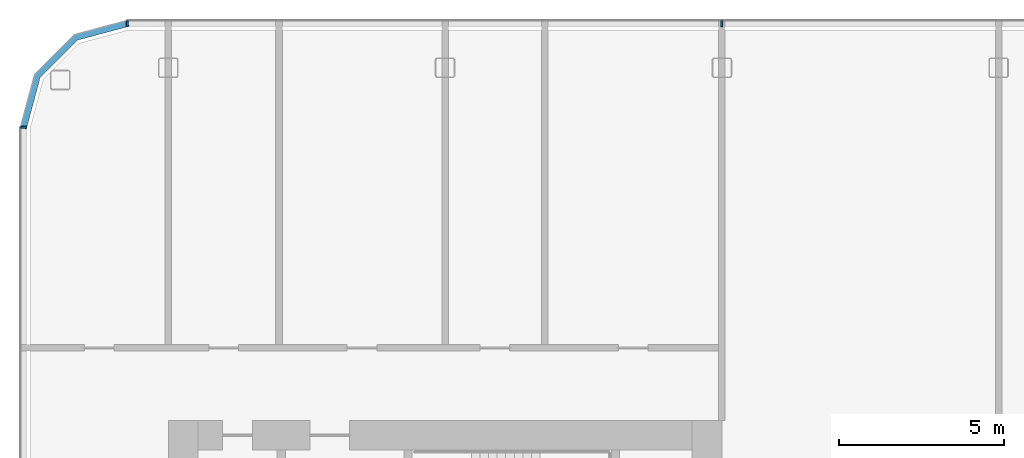
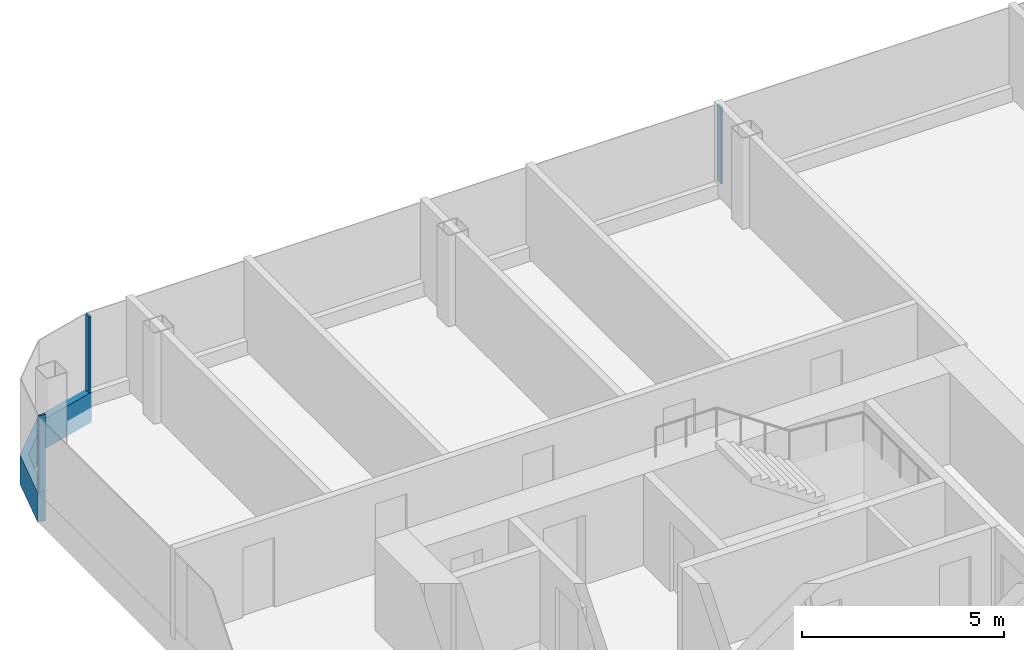
# One storey, part 6 of 26: 4 members, 3 elements without a shape of their own.
"""IFC4 building model written with IfcOpenShell, lengths in metres."""

from ifc_helpers import new_model, si_unit, direction, frame, origin, origin_2d, place, context, subcontext, project, spatial, polyline, rectangle, outline, extrude, material, layer, layer_set, material_profile, profile_set, type_object, element, aggregate, save


model = new_model("IFC4")

# Units and contexts
model_context = context("Model", 3, precision=1e-05, world=origin(), true_north=direction((0.0, 1.0)))
body_context = subcontext(model_context, "Body", "Model", "MODEL_VIEW")
ifc_project = project(units=[si_unit("LENGTHUNIT", "METRE"), si_unit("AREAUNIT", "SQUARE_METRE"), si_unit("VOLUMEUNIT", "CUBIC_METRE"), si_unit("PLANEANGLEUNIT", "RADIAN"), si_unit("MASSUNIT", "GRAM", prefix="KILO")], contexts=[model_context])

# Site, building, storey
site_placement = place(None, origin())
site = spatial("IfcSite", under=ifc_project, at=site_placement, CompositionType="ELEMENT")
building_placement = place(site_placement, origin())
building = spatial("IfcBuilding", under=site, at=building_placement, Name="Hakoniwa Tower and Hamabe Station Hall", CompositionType="ELEMENT")
storey_placement = place(building_placement, frame((0.0, 0.0, 215.39990234375)))
storey = spatial("IfcBuildingStorey", under=building, at=storey_placement, Name="L61", CompositionType="ELEMENT", Elevation=215.39990234375)

# Curtain wall, member
ifc_material_1 = material(Name="Dark low-e laminated glass", Category="glass")
ifc_layer = layer(ifc_material_1, 0.199951171875)
ifc_layer_set = layer_set([ifc_layer], Name="CW-1 UNITISED GUEST")
curtain_wall_type = type_object("IfcCurtainWallType", Name="CW-1 UNITISED GUEST", PredefinedType="NOTDEFINED", material=ifc_layer_set)
curtain_wall_1_placement = place(storey_placement, origin())
curtain_wall_1 = element("IfcCurtainWall", 1, at=curtain_wall_1_placement, inside=storey, type_object=curtain_wall_type, Name="CW-1 curtain wall", PredefinedType="NOTDEFINED")
ifc_material_2 = material(Name="Aluminium 6063-T5 black anodised", Category="aluminium")
ifc_material_profile_1 = material_profile(ifc_material_2, rectangle(XDim=0.199951171875, YDim=0.89990234375, at=origin_2d()), Name="CW SLAB-EDGE BAND 900X200")
ifc_profile_set_1 = profile_set([ifc_material_profile_1], Name="Aluminium 6063-T5 black anodised")
member_type_1 = type_object("IfcMemberType", Name="CW SLAB-EDGE BAND 900X200", PredefinedType="USERDEFINED", material=ifc_profile_set_1)
member_1_placement = place(storey_placement, frame((0.0, 0.0, -0.5498046875)))
member_1 = element("IfcMember", 2, at=member_1_placement, type_object=member_type_1, Name="CW-1 transom", ObjectType="TRANSOM", PredefinedType="USERDEFINED", context=body_context, shape_type="SweptSolid", body=[
    extrude(outline(polyline([(-34.839599609375, 20.550048828125), (-36.455322265625, 20.116943359375), (-37.6669921875, 18.9052734375), (-38.10009765625, 17.28955078125), (-37.90673828125, 17.23779296875), (-37.48779296875, 18.8017578125), (-36.351806640625, 19.937744140625), (-34.787841796875, 20.35693359375), (-34.839599609375, 20.550048828125)])), origin(), (0.0, 0.0, 1.0), 0.89990234375),
])
aggregate(curtain_wall_1, [member_1])

# Curtain wall, members
curtain_wall_2_placement = place(storey_placement, origin())
curtain_wall_2 = element("IfcCurtainWall", 3, at=curtain_wall_2_placement, inside=storey, type_object=curtain_wall_type, Name="CW-1 curtain wall", PredefinedType="NOTDEFINED")
ifc_material_3 = material(Name="Aluminium 6063-T5 black anodised", Category="aluminium")
ifc_material_profile_2 = material_profile(ifc_material_3, rectangle(XDim=0.06005859375, YDim=0.179931640625, at=origin_2d()), Name="CW-1 MULLION 60X180")
ifc_profile_set_2 = profile_set([ifc_material_profile_2], Name="Aluminium 6063-T5 black anodised")
member_type_2 = type_object("IfcMemberType", Name="CW-1 MULLION 60X180", PredefinedType="MULLION", material=ifc_profile_set_2)
member_2_placement = place(storey_placement, frame((-16.800048828125, 20.431884765625, 0.35009765625), z_axis=(0.0, 0.0, 1.0), x_axis=(-1.0, 0.0, 0.0)))
member_2 = element("IfcMember", 4, at=member_2_placement, type_object=member_type_2, Name="CW-1 mullion", PredefinedType="MULLION", context=body_context, shape_type="SweptSolid", body=[
    extrude(rectangle(XDim=0.06005859375, YDim=0.179931640625, at=origin_2d()), origin(), (0.0, 0.0, 1.0), 2.300048828125),
])
member_3_placement = place(storey_placement, frame((-34.839599609375, 20.431884765625, 0.35009765625), z_axis=(0.0, 0.0, 1.0), x_axis=(-1.0, 0.0, 0.0)))
member_3 = element("IfcMember", 5, at=member_3_placement, type_object=member_type_2, Name="CW-1 mullion", PredefinedType="MULLION", context=body_context, shape_type="SweptSolid", body=[
    extrude(rectangle(XDim=0.06005859375, YDim=0.179931640625, at=origin_2d()), origin(), (0.0, 0.0, 1.0), 2.300048828125),
])
aggregate(curtain_wall_2, [member_2, member_3])

# Curtain wall, member
curtain_wall_3_placement = place(storey_placement, origin())
curtain_wall_3 = element("IfcCurtainWall", 6, at=curtain_wall_3_placement, inside=storey, type_object=curtain_wall_type, Name="CW-1 curtain wall", PredefinedType="NOTDEFINED")
member_4_placement = place(storey_placement, frame((-37.98193359375, 17.28955078125, 0.35009765625), z_axis=(0.0, 0.0, 1.0), x_axis=(0.0, -1.0, 0.0)))
member_4 = element("IfcMember", 7, at=member_4_placement, type_object=member_type_2, Name="CW-1 mullion", PredefinedType="MULLION", context=body_context, shape_type="SweptSolid", body=[
    extrude(rectangle(XDim=0.06005859375, YDim=0.179931640625, at=origin_2d()), origin(), (0.0, 0.0, 1.0), 2.300048828125),
])
aggregate(curtain_wall_3, [member_4])

save(model, "model.ifc")
